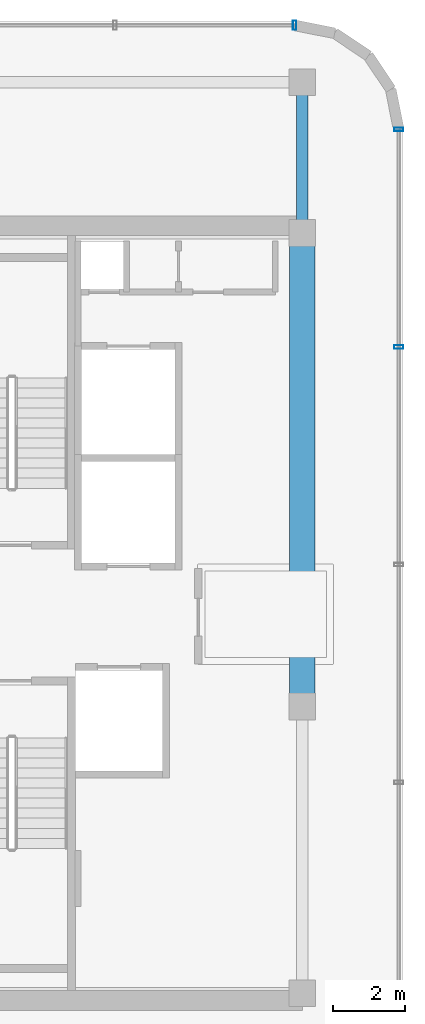
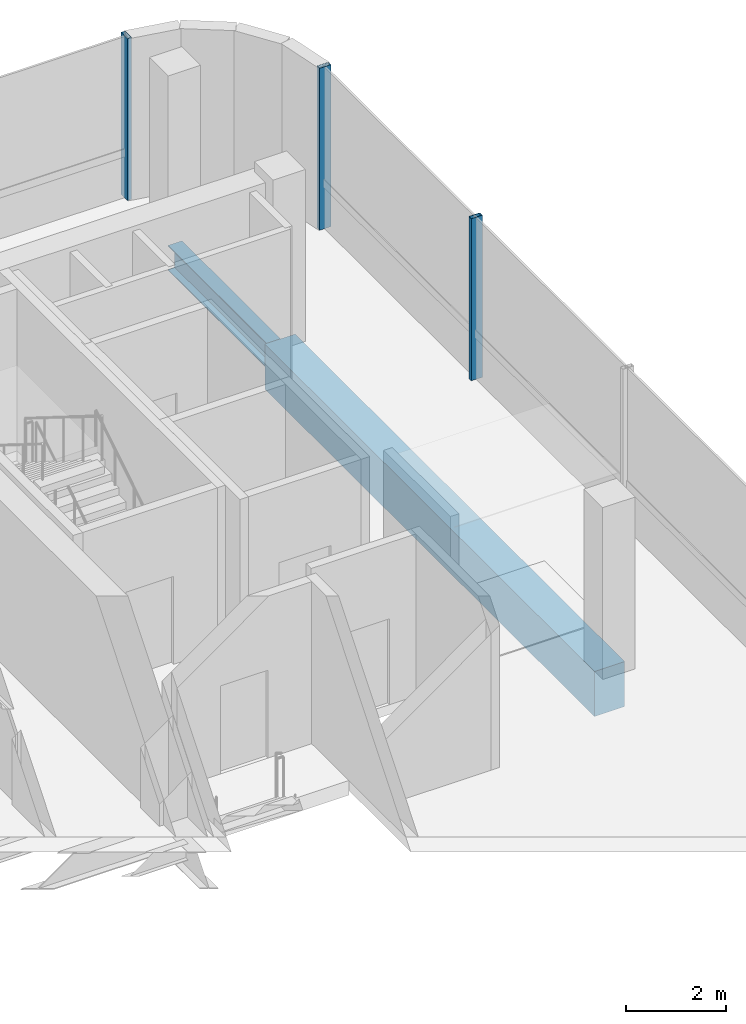
# One storey, part 8 of 11: 3 members, 2 beams, 2 elements without a shape of their own.
"""IFC4 building model written with IfcOpenShell, lengths in metres."""

from ifc_helpers import new_model, si_unit, direction, frame, origin, origin_2d, place, context, subcontext, project, spatial, rectangle, hollow_rectangle, i_section, extrude, source, transform, mapped, material, material_profile, profile_set, type_object, element, aggregate, save


model = new_model("IFC4")

# Units and contexts
model_context = context("Model", 3, precision=1e-05, world=origin(), true_north=direction((0.0, 1.0)))
body_context = subcontext(model_context, "Body", "Model", "MODEL_VIEW")
ifc_project = project(units=[si_unit("LENGTHUNIT", "METRE"), si_unit("AREAUNIT", "SQUARE_METRE"), si_unit("VOLUMEUNIT", "CUBIC_METRE"), si_unit("PLANEANGLEUNIT", "RADIAN"), si_unit("MASSUNIT", "GRAM", prefix="KILO")], contexts=[model_context])

# Site, building, storey
site_placement = place(None, origin())
site = spatial("IfcSite", under=ifc_project, at=site_placement, CompositionType="ELEMENT")
building_placement = place(site_placement, origin())
building = spatial("IfcBuilding", under=site, at=building_placement, Name="Valdorenza Pilgrim Sanctuary Tower", CompositionType="ELEMENT")
storey_placement = place(building_placement, frame((0.0, 0.0, 299.39990234375)))
storey = spatial("IfcBuildingStorey", under=building, at=storey_placement, Name="L78", CompositionType="ELEMENT", Elevation=299.39990234375)

# Beams
ifc_material_1 = material(Name="Concrete C50/60", Category="concrete")
ifc_material_profile_1 = material_profile(ifc_material_1, rectangle(XDim=0.699951171875, YDim=1.10009765625, at=origin_2d()), Name="RC 1100x700")
ifc_profile_set_1 = profile_set([ifc_material_profile_1], Name="Concrete C50/60")
beam_type_1 = type_object("IfcBeamType", Name="STR-BM-LNT-1100", PredefinedType="LINTEL", material=ifc_profile_set_1)
shared_shape_1 = source(origin(), body_context, "Body", "SweptSolid", [
    extrude(rectangle(XDim=0.699951171875, YDim=1.10009765625, at=origin_2d()), origin(), (0.0, 0.0, 1.0), 13.2001953125),
])
beam_1_placement = place(storey_placement, frame((-12.39990234375, -2.60009765625, -0.58984375), z_axis=(0.0, 1.0, 0.0), x_axis=(-1.0, 0.0, 0.0)))
element("IfcBeam", 1, at=beam_1_placement, inside=storey, type_object=beam_type_1, Name="L78 Core A Coupling Lintel Girder", PredefinedType="LINTEL", context=body_context, shape_type="MappedRepresentation", body=[
    mapped(shared_shape_1, transform((0.0, 0.0, 0.0), x_axis=(1.0, 0.0, 0.0), y_axis=(0.0, 1.0, 0.0), z_axis=(0.0, 0.0, 1.0), scale=1.0)),
])
ifc_material_2 = material(Name="Steel ASTM A992 Grade 50", Category="steel")
ifc_material_profile_2 = material_profile(ifc_material_2, i_section(OverallWidth=0.323974609375, OverallDepth=0.611083984375, WebThickness=0.0126953125, FlangeThickness=0.01904296875, at=origin_2d()), Name="W24X104")
ifc_profile_set_2 = profile_set([ifc_material_profile_2], Name="Steel ASTM A992 Grade 50")
beam_type_2 = type_object("IfcBeamType", Name="STR-BM-GRD-W24B", PredefinedType="BEAM", material=ifc_profile_set_2)
shared_shape_2 = source(origin(), body_context, "Body", "SweptSolid", [
    extrude(i_section(OverallWidth=0.323974609375, OverallDepth=0.611083984375, WebThickness=0.0126953125, FlangeThickness=0.01904296875, at=origin_2d()), origin(), (0.0, 0.0, 1.0), 4.199951171875),
])
beam_2_placement = place(storey_placement, frame((-12.39990234375, 10.60009765625, -0.54541015625), z_axis=(0.0, 1.0, 0.0), x_axis=(-1.0, 0.0, 0.0)))
element("IfcBeam", 2, at=beam_2_placement, inside=storey, type_object=beam_type_2, Name="L78 Core Tie Girder CA-E-N1N2", PredefinedType="BEAM", context=body_context, shape_type="MappedRepresentation", body=[
    mapped(shared_shape_2, transform((0.0, 0.0, 0.0), x_axis=(1.0, 0.0, 0.0), y_axis=(0.0, 1.0, 0.0), z_axis=(0.0, 0.0, 1.0), scale=1.0)),
])

# Curtain wall, member
ifc_material_3 = material(Name="Curtain-wall IGU glazing", Category="glass")
curtain_wall_type = type_object("IfcCurtainWallType", Name="CW-SYS-06", PredefinedType="NOTDEFINED", material=ifc_material_3)
curtain_wall_1_placement = place(storey_placement, origin())
curtain_wall_1 = element("IfcCurtainWall", 3, at=curtain_wall_1_placement, inside=storey, type_object=curtain_wall_type, Name="L78 Curtain Wall CW-L78-1-6", PredefinedType="NOTDEFINED")
ifc_material_4 = material(Name="Anodised aluminium AW-6060", Category="aluminium")
ifc_material_profile_3 = material_profile(ifc_material_4, hollow_rectangle(XDim=0.10009765625, YDim=0.260009765625, WallThickness=0.006103515625, at=origin_2d()), Name="ALU-M 260x100x6")
ifc_profile_set_3 = profile_set([ifc_material_profile_3], Name="Anodised aluminium AW-6060")
member_type = type_object("IfcMemberType", Name="CW-MUL-06", PredefinedType="MULLION", material=ifc_profile_set_3)
shared_shape_3 = source(origin(), body_context, "Body", "SweptSolid", [
    extrude(hollow_rectangle(XDim=0.10009765625, YDim=0.260009765625, WallThickness=0.006103515625, at=origin_2d()), origin(), (0.0, 0.0, 1.0), 3.960205078125),
])
member_1_placement = place(storey_placement, frame((-12.61083984375, 16.389892578125, 0.0), z_axis=(0.0, 0.0, 1.0), x_axis=(1.0, 0.0, 0.0)))
member_1 = element("IfcMember", 4, at=member_1_placement, type_object=member_type, Name="CW-L78-1-6 Mullion 4", PredefinedType="MULLION", context=body_context, shape_type="MappedRepresentation", body=[
    mapped(shared_shape_3, transform((0.0, 0.0, 0.0), x_axis=(1.0, 0.0, 0.0), y_axis=(0.0, 1.0, 0.0), z_axis=(0.0, 0.0, 1.0), scale=1.0)),
])
aggregate(curtain_wall_1, [member_1])

# Curtain wall, members
curtain_wall_2_placement = place(storey_placement, origin())
curtain_wall_2 = element("IfcCurtainWall", 5, at=curtain_wall_2_placement, inside=storey, type_object=curtain_wall_type, Name="L78 Curtain Wall CW-L78-1-11", PredefinedType="NOTDEFINED")
member_2_placement = place(storey_placement, frame((-9.7099609375, 13.4892578125, 0.0), z_axis=(0.0, 0.0, 1.0), x_axis=(0.0, -1.0, 0.0)))
member_2 = element("IfcMember", 6, at=member_2_placement, type_object=member_type, Name="CW-L78-1-11 Mullion 1", PredefinedType="MULLION", context=body_context, shape_type="MappedRepresentation", body=[
    mapped(shared_shape_3, transform((0.0, 0.0, 0.0), x_axis=(1.0, 0.0, 0.0), y_axis=(0.0, 1.0, 0.0), z_axis=(0.0, 0.0, 1.0), scale=1.0)),
])
member_3_placement = place(storey_placement, frame((-9.7099609375, 7.419677734375, 0.0), z_axis=(0.0, 0.0, 1.0), x_axis=(0.0, -1.0, 0.0)))
member_3 = element("IfcMember", 7, at=member_3_placement, type_object=member_type, Name="CW-L78-1-11 Mullion 2", PredefinedType="MULLION", context=body_context, shape_type="MappedRepresentation", body=[
    mapped(shared_shape_3, transform((0.0, 0.0, 0.0), x_axis=(1.0, 0.0, 0.0), y_axis=(0.0, 1.0, 0.0), z_axis=(0.0, 0.0, 1.0), scale=1.0)),
])
aggregate(curtain_wall_2, [member_2, member_3])

save(model, "model.ifc")
